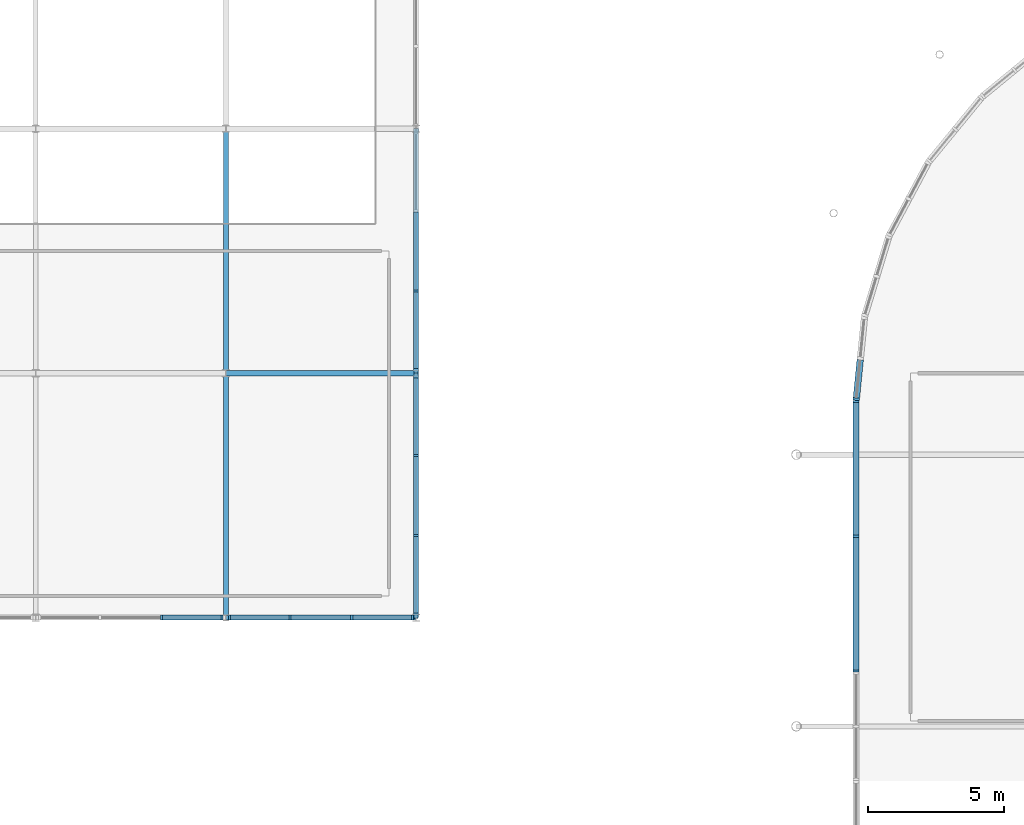
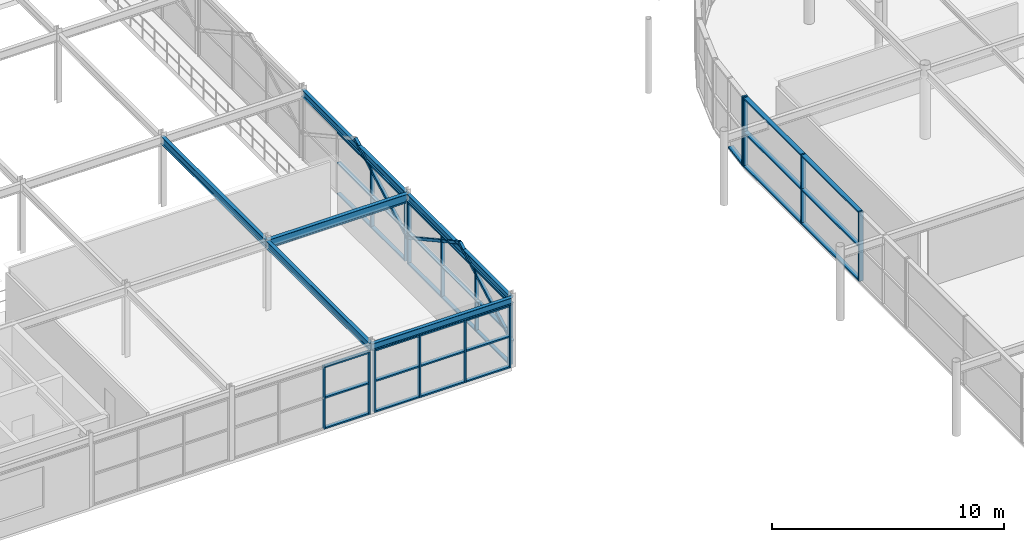
# One storey, part 40 of 98: 53 members, 6 beams, 6 elements without a shape of their own.
"""IFC4 building model written with IfcOpenShell, lengths in metres."""

import ifcopenshell
import ifcopenshell.guid

model = None  # the IFC model being written
_history = None  # IfcOwnerHistory: only IFC2X3 demands one
_inside = {}  # id of a spatial element -> (the spatial element, [elements in it])
_under = {}  # id of a project, library or spatial element -> (it, [spatial elements below it])
_declared = {}  # id of a project -> (the project, [libraries it declares])
_typed = {}  # id of a type object -> (the type object, [elements of that type])
_made_of = {}  # id of a material, layer set ... -> (it, [elements and type objects made of it])


def new_model(schema):
    """Start an empty IFC model of exactly this schema.

    Asked for "IFC4X3", IfcOpenShell would pick the latest addendum, in which some entities
    have other attributes; the version numbers below select the first issue.
    IFC2X3 requires an IfcOwnerHistory on every rooted entity: one is made here for all.
    """
    global model, _history
    if schema == "IFC4X3":
        model = ifcopenshell.file(schema_version=(4, 3, 0, 0))
    else:
        model = ifcopenshell.file(schema=schema)
    _inside.clear()
    _under.clear()
    _declared.clear()
    _typed.clear()
    _made_of.clear()
    _history = None
    if model.schema == "IFC2X3":
        org = make("IfcOrganization", Name="unknown")
        user = make(
            "IfcPersonAndOrganization",
            ThePerson=make("IfcPerson", FamilyName="unknown"),
            TheOrganization=org,
        )
        app = make(
            "IfcApplication",
            ApplicationDeveloper=org,
            Version="unknown",
            ApplicationFullName="unknown",
            ApplicationIdentifier="unknown",
        )
        _history = make(
            "IfcOwnerHistory",
            OwningUser=user,
            OwningApplication=app,
            ChangeAction="ADDED",
            CreationDate=0,
        )
    return model


def make(cls, **values):
    """One entity of the class cls with the attributes given. An attribute that is None is left unset."""
    return model.create_entity(
        cls, **{name: value for name, value in values.items() if value is not None}
    )


def rooted(cls, **values):
    """An entity with a GlobalId (a new one), such as an element, a storey or a relation."""
    return make(cls, GlobalId=ifcopenshell.guid.new(), OwnerHistory=_history, **values)


def si_unit(unit_type, name, prefix=None):
    """IfcSIUnit, for example si_unit("LENGTHUNIT", "METRE", prefix="MILLI")."""
    return make("IfcSIUnit", UnitType=unit_type, Prefix=prefix, Name=name)


def derived_unit(unit_type, elements):
    """IfcDerivedUnit: a product of units, each with its exponent."""
    return make(
        "IfcDerivedUnit",
        Elements=[
            make("IfcDerivedUnitElement", Unit=unit, Exponent=power)
            for unit, power in elements
        ],
        UnitType=unit_type,
    )


def assignment(units):
    """IfcUnitAssignment: the units of a project."""
    return None if units is None else make("IfcUnitAssignment", Units=units)


def point(xyz):
    """IfcCartesianPoint."""
    return None if xyz is None else make("IfcCartesianPoint", Coordinates=xyz)


def direction(xyz):
    """IfcDirection."""
    return None if xyz is None else make("IfcDirection", DirectionRatios=xyz)


def frame(location, z_axis=None, x_axis=None):
    """IfcAxis2Placement3D, a coordinate frame: its origin and axes. An axis left out is left unset."""
    return make(
        "IfcAxis2Placement3D",
        Location=point(location),
        Axis=direction(z_axis),
        RefDirection=direction(x_axis),
    )


def frame_2d(location, x_axis=None):
    """IfcAxis2Placement2D, a coordinate frame in the plane: its origin and x axis."""
    return make(
        "IfcAxis2Placement2D", Location=point(location), RefDirection=direction(x_axis)
    )


def origin():
    """The frame at (0, 0, 0) with its axes left unset."""
    return frame((0.0, 0.0, 0.0))


def origin_2d_with_axis():
    """The frame at (0, 0) in the plane with the x axis (1, 0) written out."""
    return frame_2d((0.0, 0.0), x_axis=(1.0, 0.0))


def place(relative_to, where):
    """IfcLocalPlacement: puts the frame where relative to a parent placement (None: the world)."""
    return make(
        "IfcLocalPlacement", PlacementRelTo=relative_to, RelativePlacement=where
    )


def context(
    kind, dimensions, precision=None, world=None, true_north=None, identifier=None
):
    """IfcGeometricRepresentationContext, for example the 3D "Model" context."""
    return make(
        "IfcGeometricRepresentationContext",
        ContextIdentifier=identifier,
        ContextType=kind,
        CoordinateSpaceDimension=dimensions,
        Precision=precision,
        WorldCoordinateSystem=world,
        TrueNorth=true_north,
    )


def subcontext(parent, identifier, kind, view, scale=None):
    """IfcGeometricRepresentationSubContext, for example "Body" below "Model"."""
    return make(
        "IfcGeometricRepresentationSubContext",
        ContextIdentifier=identifier,
        ContextType=kind,
        ParentContext=parent,
        TargetScale=scale,
        TargetView=view,
    )


def project(units=None, contexts=None):
    """IfcProject with its units and contexts."""
    return rooted(
        "IfcProject",
        Name="project",
        RepresentationContexts=contexts,
        UnitsInContext=assignment(units),
    )


def spatial(cls, under=None, at=None, **own):
    """A site, building, storey or space (cls), placed at a placement, below another one or the project."""
    s = rooted(cls, ObjectPlacement=at, **own)
    if under is not None:
        _under.setdefault(under.id(), (under, []))[1].append(s)
    return s


def profile(cls, at=None, kind="AREA", **sizes):
    """A parametric profile (cls). Its sizes go by their IFC names, for example OverallWidth=200.0."""
    return make(cls, ProfileType=kind, Position=at, **sizes)


def rectangle(**sizes):
    """IfcRectangleProfileDef."""
    return profile("IfcRectangleProfileDef", **sizes)


def hollow_rectangle(**sizes):
    """IfcRectangleHollowProfileDef."""
    return profile("IfcRectangleHollowProfileDef", **sizes)


def i_section(**sizes):
    """IfcIShapeProfileDef."""
    return profile("IfcIShapeProfileDef", **sizes)


def extrude(swept, where, along, depth):
    """IfcExtrudedAreaSolid: the profile swept, set in the frame where, extruded along a direction by depth."""
    return make(
        "IfcExtrudedAreaSolid",
        SweptArea=swept,
        Position=where,
        ExtrudedDirection=direction(along),
        Depth=depth,
    )


def shape(context_of_items, identifier, shape_type, items):
    """IfcShapeRepresentation: the items that make up one representation, for example the "Body"."""
    return make(
        "IfcShapeRepresentation",
        ContextOfItems=context_of_items,
        RepresentationIdentifier=identifier,
        RepresentationType=shape_type,
        Items=items,
    )


def material(Name=None, Category=None):
    """IfcMaterial."""
    return make("IfcMaterial", Name=Name, Category=Category)


def material_profile(
    of_material, cross_section, Name=None, Category=None, Priority=None
):
    """IfcMaterialProfile: a cross section and its material."""
    return make(
        "IfcMaterialProfile",
        Name=Name,
        Material=of_material,
        Profile=cross_section,
        Priority=Priority,
        Category=Category,
    )


def profile_set(profiles, Name=None, composite=None):
    """IfcMaterialProfileSet."""
    return make(
        "IfcMaterialProfileSet",
        Name=Name,
        MaterialProfiles=profiles,
        CompositeProfile=composite,
    )


def made_of(thing, what):
    """Note that an element or type object is made of a material, layer set ...; save() writes the relation."""
    if what is not None:
        _made_of.setdefault(what.id(), (what, []))[1].append(thing)
    return thing


def type_object(cls, material=None, **own):
    """A type object (cls), such as IfcWallType, which elements share."""
    return made_of(rooted(cls, **own), material)


def element(
    cls,
    number,
    at=None,
    inside=None,
    cuts=None,
    type_object=None,
    material=None,
    context=None,
    identifier="Body",
    shape_type=None,
    held_by="IfcProductDefinitionShape",
    body=None,
    shapes=None,
    **own,
):
    """One element of the class cls, such as IfcWall. Its Tag is "e" and its number.

    at: its placement. inside: the storey or other place that contains it. cuts: it is an
    opening in that element (IfcRelVoidsElement). A single representation is given by context,
    identifier, shape_type and body (its items); several are given by shapes. held_by: the class
    of the entity that holds the representations. save() writes the other relations.
    """
    e = rooted(cls, Tag="e%d" % number, ObjectPlacement=at, **own)
    if body is not None:
        shapes = [shape(context, identifier, shape_type, body)]
    if shapes is not None:
        e.Representation = make(held_by, Representations=shapes)
    if inside is not None:
        _inside.setdefault(inside.id(), (inside, []))[1].append(e)
    if cuts is not None:
        rooted(
            "IfcRelVoidsElement", RelatingBuildingElement=cuts, RelatedOpeningElement=e
        )
    if type_object is not None:
        _typed.setdefault(type_object.id(), (type_object, []))[1].append(e)
    return made_of(e, material)


def aggregate(whole, parts):
    """IfcRelAggregates: a whole, such as a stair, and the parts it consists of."""
    return rooted("IfcRelAggregates", RelatingObject=whole, RelatedObjects=parts)


def save(model, path):
    """Write the relations noted so far, then the file.

    IfcRelAggregates (storeys below a building ...), IfcRelContainedInSpatialStructure (elements
    in a storey), IfcRelDefinesByType, IfcRelAssociatesMaterial and IfcRelDeclares: one each for
    every whole, place, type object, material and project.
    """
    for whole, parts in _under.values():
        aggregate(whole, parts)
    for where, things in _inside.values():
        rooted(
            "IfcRelContainedInSpatialStructure",
            RelatedElements=things,
            RelatingStructure=where,
        )
    for kind, things in _typed.values():
        rooted("IfcRelDefinesByType", RelatedObjects=things, RelatingType=kind)
    for what, things in _made_of.values():
        rooted("IfcRelAssociatesMaterial", RelatedObjects=things, RelatingMaterial=what)
    for by, libraries in _declared.values():
        rooted("IfcRelDeclares", RelatingContext=by, RelatedDefinitions=libraries)
    model.write(path)


model = new_model("IFC4")

# Units and contexts
model_context = context("Model", 3, precision=1e-05, world=origin(), true_north=direction((0.0, 1.0)))
body_context = subcontext(model_context, "Body", "Model", "MODEL_VIEW")
ifc_project = project(units=[si_unit("LENGTHUNIT", "METRE"), si_unit("AREAUNIT", "SQUARE_METRE"), si_unit("VOLUMEUNIT", "CUBIC_METRE"), si_unit("PLANEANGLEUNIT", "RADIAN"), si_unit("MASSUNIT", "GRAM", prefix="KILO"), derived_unit("THERMALTRANSMITTANCEUNIT", [(si_unit("POWERUNIT", "WATT"), 1), (si_unit("LENGTHUNIT", "METRE"), -2), (si_unit("THERMODYNAMICTEMPERATUREUNIT", "KELVIN"), -1)])], contexts=[model_context])

# Site, building, storey
site_placement = place(None, origin())
site = spatial("IfcSite", under=ifc_project, at=site_placement, CompositionType="ELEMENT")
building_placement = place(site_placement, origin())
building = spatial("IfcBuilding", under=site, at=building_placement, Name="Cinnabar Yard Market Hall", CompositionType="ELEMENT")
storey_placement = place(building_placement, frame((0.0, 0.0, 4.5)))
storey = spatial("IfcBuildingStorey", under=building, at=storey_placement, Name="L01", CompositionType="ELEMENT", Elevation=4.5)

# Beams
ifc_material_1 = material(Name="Steel Grade 300 (300 MPa)", Category="steel")
ifc_material_profile_1 = material_profile(ifc_material_1, i_section(OverallWidth=0.18994140625, OverallDepth=0.453857421875, WebThickness=0.008544921875, FlangeThickness=0.0126953125, FilletRadius=0.011474609375, at=origin_2d_with_axis()), Name="460UB67.1")
ifc_profile_set_1 = profile_set([ifc_material_profile_1], Name="Steel Grade 300 (300 MPa)")
beam_type_1 = type_object("IfcBeamType", Name="BM-B05", PredefinedType="BEAM", material=ifc_profile_set_1)
beam_1_placement = place(storey_placement, frame((45.0, 57.0, 3.423095703125), z_axis=(1.0, 0.0, 0.0), x_axis=(0.0, 1.0, 0.0)))
element("IfcBeam", 1, at=beam_1_placement, inside=storey, type_object=beam_type_1, Name="V2 L01 Girder X 00733", PredefinedType="BEAM", context=body_context, shape_type="SweptSolid", body=[
    extrude(i_section(OverallWidth=0.18994140625, OverallDepth=0.453857421875, WebThickness=0.008544921875, FlangeThickness=0.0126953125, FilletRadius=0.011474609375, at=origin_2d_with_axis()), origin(), (0.0, 0.0, 1.0), 7.0),
])
ifc_material_profile_2 = material_profile(ifc_material_1, i_section(OverallWidth=0.177978515625, OverallDepth=0.406494140625, WebThickness=0.0078125, FlangeThickness=0.0126953125, FilletRadius=0.011474609375, at=origin_2d_with_axis()), Name="410UB59.7")
ifc_profile_set_2 = profile_set([ifc_material_profile_2], Name="Steel Grade 300 (300 MPa)")
beam_type_2 = type_object("IfcBeamType", Name="BM-B06", PredefinedType="BEAM", material=ifc_profile_set_2)
for number, where, z_axis, x_axis, name in (
    (2, (45.0, 48.0, 3.44677734375), (0.0, 1.0, 0.0), (-1.0, 0.0, 0.0), "V2 L01 Girder Y 00757"),
    (3, (45.0, 57.0, 3.44677734375), (0.0, 1.0, 0.0), (-1.0, 0.0, 0.0), "V2 L01 Girder Y 00758"),
):
    element("IfcBeam", number, at=place(storey_placement, frame(where, z_axis=z_axis, x_axis=x_axis)), inside=storey, type_object=beam_type_2, Name=name, PredefinedType="BEAM", context=body_context, shape_type="SweptSolid", body=[
        extrude(i_section(OverallWidth=0.177978515625, OverallDepth=0.406494140625, WebThickness=0.0078125, FlangeThickness=0.0126953125, FilletRadius=0.011474609375, at=origin_2d_with_axis()), origin(), (0.0, 0.0, 1.0), 9.0),
    ])
ifc_material_profile_3 = material_profile(ifc_material_1, i_section(OverallWidth=0.172119140625, OverallDepth=0.358642578125, WebThickness=0.008056640625, FlangeThickness=0.012939453125, FilletRadius=0.011474609375, at=origin_2d_with_axis()), Name="360UB56.7")
ifc_profile_set_3 = profile_set([ifc_material_profile_3], Name="Steel Grade 300 (300 MPa)")
beam_type_3 = type_object("IfcBeamType", Name="BM-SP02E", PredefinedType="SPANDREL", material=ifc_profile_set_3)
beam_2_placement = place(storey_placement, frame((45.0, 48.0, 3.470703125), z_axis=(1.0, 0.0, 0.0), x_axis=(0.0, 1.0, 0.0)))
element("IfcBeam", 4, at=beam_2_placement, inside=storey, type_object=beam_type_3, Name="V2 L01 Girder X 00732", PredefinedType="SPANDREL", context=body_context, shape_type="SweptSolid", body=[
    extrude(i_section(OverallWidth=0.172119140625, OverallDepth=0.358642578125, WebThickness=0.008056640625, FlangeThickness=0.012939453125, FilletRadius=0.011474609375, at=origin_2d_with_axis()), origin(), (0.0, 0.0, 1.0), 7.0),
])
for number, where, z_axis, x_axis, name in (
    (5, (52.0, 48.0, 3.470703125), (0.0, 1.0, 0.0), (-1.0, 0.0, 0.0), "V2 L01 Girder Y 00761"),
    (6, (52.0, 57.0, 3.470703125), (0.0, 1.0, 0.0), (-1.0, 0.0, 0.0), "V2 L01 Girder Y 00762"),
):
    element("IfcBeam", number, at=place(storey_placement, frame(where, z_axis=z_axis, x_axis=x_axis)), inside=storey, type_object=beam_type_3, Name=name, PredefinedType="SPANDREL", context=body_context, shape_type="SweptSolid", body=[
        extrude(i_section(OverallWidth=0.172119140625, OverallDepth=0.358642578125, WebThickness=0.008056640625, FlangeThickness=0.012939453125, FilletRadius=0.011474609375, at=origin_2d_with_axis()), origin(), (0.0, 0.0, 1.0), 9.0),
    ])

# Curtain wall, member
ifc_material_2 = material(Name="Anodised bronze aluminium curved-chord facade", Category="aluminium")
curtain_wall_type_1 = type_object("IfcCurtainWallType", Name="CW-CWC031x36", PredefinedType="NOTDEFINED", material=ifc_material_2)
curtain_wall_1_placement = place(storey_placement, origin())
curtain_wall_1 = element("IfcCurtainWall", 7, at=curtain_wall_1_placement, inside=storey, type_object=curtain_wall_type_1, Name="Corner NW Chord 8 L01", PredefinedType="NOTDEFINED")
ifc_material_3 = material(Name="Anodised bronze aluminium", Category="aluminium")
ifc_material_profile_4 = material_profile(ifc_material_3, rectangle(XDim=0.239990234375, YDim=0.090087890625, at=origin_2d_with_axis()), Name="MUL-CWC")
ifc_profile_set_4 = profile_set([ifc_material_profile_4], Name="Anodised bronze aluminium")
member_type_1 = type_object("IfcMemberType", Name="CWM-CWC", PredefinedType="MULLION", material=ifc_profile_set_4)
member_1_placement = place(storey_placement, frame((68.204345703125, 56.044677734375, 0.0), z_axis=(0.0, 0.0, 1.0), x_axis=(0.995184408637, -0.098020369342, 0.0)))
member_1 = element("IfcMember", 8, at=member_1_placement, type_object=member_type_1, Name="CWC031x36 mullion 3", PredefinedType="MULLION", context=body_context, shape_type="SweptSolid", body=[
    extrude(rectangle(XDim=0.239990234375, YDim=0.090087890625, at=origin_2d_with_axis()), origin(), (0.0, 0.0, 1.0), 3.64990234375),
])

# Curtain wall, members
ifc_material_4 = material(Name="Anodised bronze aluminium courtyard facade", Category="aluminium")
curtain_wall_type_2 = type_object("IfcCurtainWallType", Name="CW-CWF068x33", PredefinedType="NOTDEFINED", material=ifc_material_4)
curtain_wall_2_placement = place(storey_placement, origin())
curtain_wall_2 = element("IfcCurtainWall", 9, at=curtain_wall_2_placement, inside=storey, type_object=curtain_wall_type_2, Name="Pavilion South Glazed Arcade L01 Bay 5", PredefinedType="NOTDEFINED")
ifc_material_profile_5 = material_profile(ifc_material_3, rectangle(XDim=0.179931640625, YDim=0.074951171875, at=origin_2d_with_axis()), Name="MUL-CWF")
ifc_profile_set_5 = profile_set([ifc_material_profile_5], Name="Anodised bronze aluminium")
member_type_2 = type_object("IfcMemberType", Name="CWM-CWF", PredefinedType="MULLION", material=ifc_profile_set_5)
member_2_placement = place(storey_placement, frame((42.63330078125, 48.0, 0.0), z_axis=(0.0, 0.0, 1.0), x_axis=(0.0, 1.0, 0.0)))
member_2 = element("IfcMember", 10, at=member_2_placement, type_object=member_type_2, Name="CWF068x33 mullion 3", PredefinedType="MULLION", context=body_context, shape_type="SweptSolid", body=[
    extrude(rectangle(XDim=0.179931640625, YDim=0.074951171875, at=origin_2d_with_axis()), origin(), (0.0, 0.0, 1.0), 3.2900390625),
])
member_3_placement = place(storey_placement, frame((44.862548828125, 48.0, 0.0), z_axis=(0.0, 0.0, 1.0), x_axis=(0.0, 1.0, 0.0)))
member_3 = element("IfcMember", 11, at=member_3_placement, type_object=member_type_2, Name="CWF068x33 mullion 4", PredefinedType="MULLION", context=body_context, shape_type="SweptSolid", body=[
    extrude(rectangle(XDim=0.179931640625, YDim=0.074951171875, at=origin_2d_with_axis()), origin(), (0.0, 0.0, 1.0), 3.2900390625),
])

curtain_wall_3_placement = place(storey_placement, origin())
curtain_wall_3 = element("IfcCurtainWall", 12, at=curtain_wall_3_placement, inside=storey, type_object=curtain_wall_type_2, Name="Pavilion South Glazed Arcade L01 Bay 6", PredefinedType="NOTDEFINED")
member_4_placement = place(storey_placement, frame((45.137451171875, 48.0, 0.0), z_axis=(0.0, 0.0, 1.0), x_axis=(0.0, 1.0, 0.0)))
member_4 = element("IfcMember", 13, at=member_4_placement, type_object=member_type_2, Name="CWF068x33 mullion 1", PredefinedType="MULLION", context=body_context, shape_type="SweptSolid", body=[
    extrude(rectangle(XDim=0.179931640625, YDim=0.074951171875, at=origin_2d_with_axis()), origin(), (0.0, 0.0, 1.0), 3.2900390625),
])
member_5_placement = place(storey_placement, frame((47.36669921875, 48.0, 0.0), z_axis=(0.0, 0.0, 1.0), x_axis=(0.0, 1.0, 0.0)))
member_5 = element("IfcMember", 14, at=member_5_placement, type_object=member_type_2, Name="CWF068x33 mullion 2", PredefinedType="MULLION", context=body_context, shape_type="SweptSolid", body=[
    extrude(rectangle(XDim=0.179931640625, YDim=0.074951171875, at=origin_2d_with_axis()), origin(), (0.0, 0.0, 1.0), 3.2900390625),
])
member_6_placement = place(storey_placement, frame((49.63330078125, 48.0, 0.0), z_axis=(0.0, 0.0, 1.0), x_axis=(0.0, 1.0, 0.0)))
member_6 = element("IfcMember", 15, at=member_6_placement, type_object=member_type_2, Name="CWF068x33 mullion 3", PredefinedType="MULLION", context=body_context, shape_type="SweptSolid", body=[
    extrude(rectangle(XDim=0.179931640625, YDim=0.074951171875, at=origin_2d_with_axis()), origin(), (0.0, 0.0, 1.0), 3.2900390625),
])
member_7_placement = place(storey_placement, frame((51.862548828125, 48.0, 0.0), z_axis=(0.0, 0.0, 1.0), x_axis=(0.0, 1.0, 0.0)))
member_7 = element("IfcMember", 16, at=member_7_placement, type_object=member_type_2, Name="CWF068x33 mullion 4", PredefinedType="MULLION", context=body_context, shape_type="SweptSolid", body=[
    extrude(rectangle(XDim=0.179931640625, YDim=0.074951171875, at=origin_2d_with_axis()), origin(), (0.0, 0.0, 1.0), 3.2900390625),
])

curtain_wall_type_3 = type_object("IfcCurtainWallType", Name="CW-CWF088x33", PredefinedType="NOTDEFINED", material=ifc_material_4)
curtain_wall_4_placement = place(storey_placement, origin())
curtain_wall_4 = element("IfcCurtainWall", 17, at=curtain_wall_4_placement, inside=storey, type_object=curtain_wall_type_3, Name="Pavilion Courtyard Glazing L01 Bay 1", PredefinedType="NOTDEFINED")
member_8_placement = place(storey_placement, frame((52.0, 48.137451171875, 0.0), z_axis=(0.0, 0.0, 1.0), x_axis=(-1.0, 0.0, 0.0)))
member_8 = element("IfcMember", 18, at=member_8_placement, type_object=member_type_2, Name="CWF088x33 mullion 1", PredefinedType="MULLION", context=body_context, shape_type="SweptSolid", body=[
    extrude(rectangle(XDim=0.179931640625, YDim=0.074951171875, at=origin_2d_with_axis()), origin(), (0.0, 0.0, 1.0), 3.2900390625),
])
member_9_placement = place(storey_placement, frame((52.0, 51.033447265625, 0.0), z_axis=(0.0, 0.0, 1.0), x_axis=(-1.0, 0.0, 0.0)))
member_9 = element("IfcMember", 19, at=member_9_placement, type_object=member_type_2, Name="CWF088x33 mullion 2", PredefinedType="MULLION", context=body_context, shape_type="SweptSolid", body=[
    extrude(rectangle(XDim=0.179931640625, YDim=0.074951171875, at=origin_2d_with_axis()), origin(), (0.0, 0.0, 1.0), 3.2900390625),
])
member_10_placement = place(storey_placement, frame((52.0, 53.966552734375, 0.0), z_axis=(0.0, 0.0, 1.0), x_axis=(-1.0, 0.0, 0.0)))
member_10 = element("IfcMember", 20, at=member_10_placement, type_object=member_type_2, Name="CWF088x33 mullion 3", PredefinedType="MULLION", context=body_context, shape_type="SweptSolid", body=[
    extrude(rectangle(XDim=0.179931640625, YDim=0.074951171875, at=origin_2d_with_axis()), origin(), (0.0, 0.0, 1.0), 3.2900390625),
])
member_11_placement = place(storey_placement, frame((52.0, 56.862548828125, 0.0), z_axis=(0.0, 0.0, 1.0), x_axis=(-1.0, 0.0, 0.0)))
member_11 = element("IfcMember", 21, at=member_11_placement, type_object=member_type_2, Name="CWF088x33 mullion 4", PredefinedType="MULLION", context=body_context, shape_type="SweptSolid", body=[
    extrude(rectangle(XDim=0.179931640625, YDim=0.074951171875, at=origin_2d_with_axis()), origin(), (0.0, 0.0, 1.0), 3.2900390625),
])

curtain_wall_5_placement = place(storey_placement, origin())
curtain_wall_5 = element("IfcCurtainWall", 22, at=curtain_wall_5_placement, inside=storey, type_object=curtain_wall_type_3, Name="Pavilion Courtyard Glazing L01 Bay 2", PredefinedType="NOTDEFINED")
member_12_placement = place(storey_placement, frame((52.0, 57.137451171875, 0.0), z_axis=(0.0, 0.0, 1.0), x_axis=(-1.0, 0.0, 0.0)))
member_12 = element("IfcMember", 23, at=member_12_placement, type_object=member_type_2, Name="CWF088x33 mullion 1", PredefinedType="MULLION", context=body_context, shape_type="SweptSolid", body=[
    extrude(rectangle(XDim=0.179931640625, YDim=0.074951171875, at=origin_2d_with_axis()), origin(), (0.0, 0.0, 1.0), 3.2900390625),
])
member_13_placement = place(storey_placement, frame((52.0, 60.033447265625, 0.0), z_axis=(0.0, 0.0, 1.0), x_axis=(-1.0, 0.0, 0.0)))
member_13 = element("IfcMember", 24, at=member_13_placement, type_object=member_type_2, Name="CWF088x33 mullion 2", PredefinedType="MULLION", context=body_context, shape_type="SweptSolid", body=[
    extrude(rectangle(XDim=0.179931640625, YDim=0.074951171875, at=origin_2d_with_axis()), origin(), (0.0, 0.0, 1.0), 3.2900390625),
])

ifc_material_5 = material(Name="Anodised bronze aluminium and low-E glass", Category="aluminium")
curtain_wall_type_4 = type_object("IfcCurtainWallType", Name="CW-CWH100x36", PredefinedType="NOTDEFINED", material=ifc_material_5)
curtain_wall_6_placement = place(storey_placement, origin())
curtain_wall_6 = element("IfcCurtainWall", 25, at=curtain_wall_6_placement, inside=storey, type_object=curtain_wall_type_4, Name="Market Hall West Gallery Glazing W2", PredefinedType="NOTDEFINED")
ifc_material_profile_6 = material_profile(ifc_material_3, rectangle(XDim=0.219970703125, YDim=0.080078125, at=origin_2d_with_axis()), Name="MUL-CWH")
ifc_profile_set_6 = profile_set([ifc_material_profile_6], Name="Anodised bronze aluminium")
member_type_3 = type_object("IfcMemberType", Name="CWM-CWH", PredefinedType="MULLION", material=ifc_profile_set_6)
member_14_placement = place(storey_placement, frame((68.199951171875, 55.9599609375, 0.0), z_axis=(0.0, 0.0, 1.0), x_axis=(1.0, 0.0, 0.0)))
member_14 = element("IfcMember", 26, at=member_14_placement, type_object=member_type_3, Name="CWH100x36 mullion 1", PredefinedType="MULLION", context=body_context, shape_type="SweptSolid", body=[
    extrude(rectangle(XDim=0.219970703125, YDim=0.080078125, at=origin_2d_with_axis()), origin(), (0.0, 0.0, 1.0), 3.64990234375),
])
member_15_placement = place(storey_placement, frame((68.199951171875, 51.0, 0.0), z_axis=(0.0, 0.0, 1.0), x_axis=(1.0, 0.0, 0.0)))
member_15 = element("IfcMember", 27, at=member_15_placement, type_object=member_type_3, Name="CWH100x36 mullion 2", PredefinedType="MULLION", context=body_context, shape_type="SweptSolid", body=[
    extrude(rectangle(XDim=0.219970703125, YDim=0.080078125, at=origin_2d_with_axis()), origin(), (0.0, 0.0, 1.0), 3.64990234375),
])
member_16_placement = place(storey_placement, frame((68.199951171875, 46.0400390625, 0.0), z_axis=(0.0, 0.0, 1.0), x_axis=(1.0, 0.0, 0.0)))
member_16 = element("IfcMember", 28, at=member_16_placement, type_object=member_type_3, Name="CWH100x36 mullion 3", PredefinedType="MULLION", context=body_context, shape_type="SweptSolid", body=[
    extrude(rectangle(XDim=0.219970703125, YDim=0.080078125, at=origin_2d_with_axis()), origin(), (0.0, 0.0, 1.0), 3.64990234375),
])

# Member
ifc_material_profile_7 = material_profile(ifc_material_3, rectangle(XDim=0.239990234375, YDim=0.090087890625, at=origin_2d_with_axis()), Name="TRN-CWC")
ifc_profile_set_7 = profile_set([ifc_material_profile_7], Name="Anodised bronze aluminium")
member_type_4 = type_object("IfcMemberType", Name="CWT-CWC", PredefinedType="USERDEFINED", material=ifc_profile_set_7)
member_17_placement = place(storey_placement, frame((68.347412109375, 57.496337890625, 0.044921875), z_axis=(-0.098101390058, -0.995176425197, 0.0), x_axis=(0.995176425197, -0.098101390058, 0.0)))
member_17 = element("IfcMember", 29, at=member_17_placement, type_object=member_type_4, Name="CWC031x36 transom 2.1", ObjectType="TRANSOM", PredefinedType="USERDEFINED", context=body_context, shape_type="SweptSolid", body=[
    extrude(rectangle(XDim=0.239990234375, YDim=0.090087890625, at=origin_2d_with_axis()), origin(), (0.0, 0.0, 1.0), 1.41357421875),
])

aggregate(curtain_wall_1, [member_1, member_17])

ifc_material_profile_8 = material_profile(ifc_material_3, rectangle(XDim=0.179931640625, YDim=0.074951171875, at=origin_2d_with_axis()), Name="TRN-CWF")
ifc_profile_set_8 = profile_set([ifc_material_profile_8], Name="Anodised bronze aluminium")
member_type_5 = type_object("IfcMemberType", Name="CWT-CWF", PredefinedType="USERDEFINED", material=ifc_profile_set_8)
member_18_placement = place(storey_placement, frame((42.6708984375, 48.0, 0.03759765625), z_axis=(1.0, 0.0, 0.0), x_axis=(0.0, 1.0, 0.0)))
member_18 = element("IfcMember", 30, at=member_18_placement, type_object=member_type_5, Name="CWF068x33 transom 3.1", ObjectType="TRANSOM", PredefinedType="USERDEFINED", context=body_context, shape_type="SweptSolid", body=[
    extrude(rectangle(XDim=0.179931640625, YDim=0.074951171875, at=origin_2d_with_axis()), origin(), (0.0, 0.0, 1.0), 2.154052734375),
])

member_19_placement = place(storey_placement, frame((42.6708984375, 48.0, 1.64501953125), z_axis=(1.0, 0.0, 0.0), x_axis=(0.0, 1.0, 0.0)))
member_19 = element("IfcMember", 31, at=member_19_placement, type_object=member_type_5, Name="CWF068x33 transom 3.2", ObjectType="TRANSOM", PredefinedType="USERDEFINED", context=body_context, shape_type="SweptSolid", body=[
    extrude(rectangle(XDim=0.179931640625, YDim=0.074951171875, at=origin_2d_with_axis()), origin(), (0.0, 0.0, 1.0), 2.154052734375),
])

member_20_placement = place(storey_placement, frame((42.6708984375, 48.0, 3.25244140625), z_axis=(1.0, 0.0, 0.0), x_axis=(0.0, 1.0, 0.0)))
member_20 = element("IfcMember", 32, at=member_20_placement, type_object=member_type_5, Name="CWF068x33 transom 3.3", ObjectType="TRANSOM", PredefinedType="USERDEFINED", context=body_context, shape_type="SweptSolid", body=[
    extrude(rectangle(XDim=0.179931640625, YDim=0.074951171875, at=origin_2d_with_axis()), origin(), (0.0, 0.0, 1.0), 2.154052734375),
])

aggregate(curtain_wall_2, [member_2, member_3, member_18, member_19, member_20])

member_21_placement = place(storey_placement, frame((45.175048828125, 48.0, 0.03759765625), z_axis=(1.0, 0.0, 0.0), x_axis=(0.0, 1.0, 0.0)))
member_21 = element("IfcMember", 33, at=member_21_placement, type_object=member_type_5, Name="CWF068x33 transom 1.1", ObjectType="TRANSOM", PredefinedType="USERDEFINED", context=body_context, shape_type="SweptSolid", body=[
    extrude(rectangle(XDim=0.179931640625, YDim=0.074951171875, at=origin_2d_with_axis()), origin(), (0.0, 0.0, 1.0), 2.154052734375),
])

member_22_placement = place(storey_placement, frame((45.175048828125, 48.0, 1.64501953125), z_axis=(1.0, 0.0, 0.0), x_axis=(0.0, 1.0, 0.0)))
member_22 = element("IfcMember", 34, at=member_22_placement, type_object=member_type_5, Name="CWF068x33 transom 1.2", ObjectType="TRANSOM", PredefinedType="USERDEFINED", context=body_context, shape_type="SweptSolid", body=[
    extrude(rectangle(XDim=0.179931640625, YDim=0.074951171875, at=origin_2d_with_axis()), origin(), (0.0, 0.0, 1.0), 2.154052734375),
])

member_23_placement = place(storey_placement, frame((45.175048828125, 48.0, 3.25244140625), z_axis=(1.0, 0.0, 0.0), x_axis=(0.0, 1.0, 0.0)))
member_23 = element("IfcMember", 35, at=member_23_placement, type_object=member_type_5, Name="CWF068x33 transom 1.3", ObjectType="TRANSOM", PredefinedType="USERDEFINED", context=body_context, shape_type="SweptSolid", body=[
    extrude(rectangle(XDim=0.179931640625, YDim=0.074951171875, at=origin_2d_with_axis()), origin(), (0.0, 0.0, 1.0), 2.154052734375),
])

member_24_placement = place(storey_placement, frame((47.404052734375, 48.0, 0.03759765625), z_axis=(1.0, 0.0, 0.0), x_axis=(0.0, 1.0, 0.0)))
member_24 = element("IfcMember", 36, at=member_24_placement, type_object=member_type_5, Name="CWF068x33 transom 2.1", ObjectType="TRANSOM", PredefinedType="USERDEFINED", context=body_context, shape_type="SweptSolid", body=[
    extrude(rectangle(XDim=0.179931640625, YDim=0.074951171875, at=origin_2d_with_axis()), origin(), (0.0, 0.0, 1.0), 2.19189453125),
])

member_25_placement = place(storey_placement, frame((47.404052734375, 48.0, 1.64501953125), z_axis=(1.0, 0.0, 0.0), x_axis=(0.0, 1.0, 0.0)))
member_25 = element("IfcMember", 37, at=member_25_placement, type_object=member_type_5, Name="CWF068x33 transom 2.2", ObjectType="TRANSOM", PredefinedType="USERDEFINED", context=body_context, shape_type="SweptSolid", body=[
    extrude(rectangle(XDim=0.179931640625, YDim=0.074951171875, at=origin_2d_with_axis()), origin(), (0.0, 0.0, 1.0), 2.19189453125),
])

member_26_placement = place(storey_placement, frame((47.404052734375, 48.0, 3.25244140625), z_axis=(1.0, 0.0, 0.0), x_axis=(0.0, 1.0, 0.0)))
member_26 = element("IfcMember", 38, at=member_26_placement, type_object=member_type_5, Name="CWF068x33 transom 2.3", ObjectType="TRANSOM", PredefinedType="USERDEFINED", context=body_context, shape_type="SweptSolid", body=[
    extrude(rectangle(XDim=0.179931640625, YDim=0.074951171875, at=origin_2d_with_axis()), origin(), (0.0, 0.0, 1.0), 2.19189453125),
])

member_27_placement = place(storey_placement, frame((49.6708984375, 48.0, 0.03759765625), z_axis=(1.0, 0.0, 0.0), x_axis=(0.0, 1.0, 0.0)))
member_27 = element("IfcMember", 39, at=member_27_placement, type_object=member_type_5, Name="CWF068x33 transom 3.1", ObjectType="TRANSOM", PredefinedType="USERDEFINED", context=body_context, shape_type="SweptSolid", body=[
    extrude(rectangle(XDim=0.179931640625, YDim=0.074951171875, at=origin_2d_with_axis()), origin(), (0.0, 0.0, 1.0), 2.154052734375),
])

member_28_placement = place(storey_placement, frame((49.6708984375, 48.0, 1.64501953125), z_axis=(1.0, 0.0, 0.0), x_axis=(0.0, 1.0, 0.0)))
member_28 = element("IfcMember", 40, at=member_28_placement, type_object=member_type_5, Name="CWF068x33 transom 3.2", ObjectType="TRANSOM", PredefinedType="USERDEFINED", context=body_context, shape_type="SweptSolid", body=[
    extrude(rectangle(XDim=0.179931640625, YDim=0.074951171875, at=origin_2d_with_axis()), origin(), (0.0, 0.0, 1.0), 2.154052734375),
])

member_29_placement = place(storey_placement, frame((49.6708984375, 48.0, 3.25244140625), z_axis=(1.0, 0.0, 0.0), x_axis=(0.0, 1.0, 0.0)))
member_29 = element("IfcMember", 41, at=member_29_placement, type_object=member_type_5, Name="CWF068x33 transom 3.3", ObjectType="TRANSOM", PredefinedType="USERDEFINED", context=body_context, shape_type="SweptSolid", body=[
    extrude(rectangle(XDim=0.179931640625, YDim=0.074951171875, at=origin_2d_with_axis()), origin(), (0.0, 0.0, 1.0), 2.154052734375),
])

aggregate(curtain_wall_3, [member_4, member_5, member_6, member_7, member_21, member_22, member_23, member_24, member_25, member_26, member_27, member_28, member_29])

member_30_placement = place(storey_placement, frame((52.0, 48.175048828125, 0.03759765625), z_axis=(0.0, 1.0, 0.0), x_axis=(-1.0, 0.0, 0.0)))
member_30 = element("IfcMember", 42, at=member_30_placement, type_object=member_type_5, Name="CWF088x33 transom 1.1", ObjectType="TRANSOM", PredefinedType="USERDEFINED", context=body_context, shape_type="SweptSolid", body=[
    extrude(rectangle(XDim=0.179931640625, YDim=0.074951171875, at=origin_2d_with_axis()), origin(), (0.0, 0.0, 1.0), 2.82080078125),
])

member_31_placement = place(storey_placement, frame((52.0, 48.175048828125, 1.64501953125), z_axis=(0.0, 1.0, 0.0), x_axis=(-1.0, 0.0, 0.0)))
member_31 = element("IfcMember", 43, at=member_31_placement, type_object=member_type_5, Name="CWF088x33 transom 1.2", ObjectType="TRANSOM", PredefinedType="USERDEFINED", context=body_context, shape_type="SweptSolid", body=[
    extrude(rectangle(XDim=0.179931640625, YDim=0.074951171875, at=origin_2d_with_axis()), origin(), (0.0, 0.0, 1.0), 2.82080078125),
])

member_32_placement = place(storey_placement, frame((52.0, 48.175048828125, 3.25244140625), z_axis=(0.0, 1.0, 0.0), x_axis=(-1.0, 0.0, 0.0)))
member_32 = element("IfcMember", 44, at=member_32_placement, type_object=member_type_5, Name="CWF088x33 transom 1.3", ObjectType="TRANSOM", PredefinedType="USERDEFINED", context=body_context, shape_type="SweptSolid", body=[
    extrude(rectangle(XDim=0.179931640625, YDim=0.074951171875, at=origin_2d_with_axis()), origin(), (0.0, 0.0, 1.0), 2.82080078125),
])

member_33_placement = place(storey_placement, frame((52.0, 51.07080078125, 0.03759765625), z_axis=(0.0, 1.0, 0.0), x_axis=(-1.0, 0.0, 0.0)))
member_33 = element("IfcMember", 45, at=member_33_placement, type_object=member_type_5, Name="CWF088x33 transom 2.1", ObjectType="TRANSOM", PredefinedType="USERDEFINED", context=body_context, shape_type="SweptSolid", body=[
    extrude(rectangle(XDim=0.179931640625, YDim=0.074951171875, at=origin_2d_with_axis()), origin(), (0.0, 0.0, 1.0), 2.8583984375),
])

member_34_placement = place(storey_placement, frame((52.0, 51.07080078125, 1.64501953125), z_axis=(0.0, 1.0, 0.0), x_axis=(-1.0, 0.0, 0.0)))
member_34 = element("IfcMember", 46, at=member_34_placement, type_object=member_type_5, Name="CWF088x33 transom 2.2", ObjectType="TRANSOM", PredefinedType="USERDEFINED", context=body_context, shape_type="SweptSolid", body=[
    extrude(rectangle(XDim=0.179931640625, YDim=0.074951171875, at=origin_2d_with_axis()), origin(), (0.0, 0.0, 1.0), 2.8583984375),
])

member_35_placement = place(storey_placement, frame((52.0, 51.07080078125, 3.25244140625), z_axis=(0.0, 1.0, 0.0), x_axis=(-1.0, 0.0, 0.0)))
member_35 = element("IfcMember", 47, at=member_35_placement, type_object=member_type_5, Name="CWF088x33 transom 2.3", ObjectType="TRANSOM", PredefinedType="USERDEFINED", context=body_context, shape_type="SweptSolid", body=[
    extrude(rectangle(XDim=0.179931640625, YDim=0.074951171875, at=origin_2d_with_axis()), origin(), (0.0, 0.0, 1.0), 2.8583984375),
])

member_36_placement = place(storey_placement, frame((52.0, 54.004150390625, 0.03759765625), z_axis=(0.0, 1.0, 0.0), x_axis=(-1.0, 0.0, 0.0)))
member_36 = element("IfcMember", 48, at=member_36_placement, type_object=member_type_5, Name="CWF088x33 transom 3.1", ObjectType="TRANSOM", PredefinedType="USERDEFINED", context=body_context, shape_type="SweptSolid", body=[
    extrude(rectangle(XDim=0.179931640625, YDim=0.074951171875, at=origin_2d_with_axis()), origin(), (0.0, 0.0, 1.0), 2.82080078125),
])

member_37_placement = place(storey_placement, frame((52.0, 54.004150390625, 1.64501953125), z_axis=(0.0, 1.0, 0.0), x_axis=(-1.0, 0.0, 0.0)))
member_37 = element("IfcMember", 49, at=member_37_placement, type_object=member_type_5, Name="CWF088x33 transom 3.2", ObjectType="TRANSOM", PredefinedType="USERDEFINED", context=body_context, shape_type="SweptSolid", body=[
    extrude(rectangle(XDim=0.179931640625, YDim=0.074951171875, at=origin_2d_with_axis()), origin(), (0.0, 0.0, 1.0), 2.82080078125),
])

member_38_placement = place(storey_placement, frame((52.0, 54.004150390625, 3.25244140625), z_axis=(0.0, 1.0, 0.0), x_axis=(-1.0, 0.0, 0.0)))
member_38 = element("IfcMember", 50, at=member_38_placement, type_object=member_type_5, Name="CWF088x33 transom 3.3", ObjectType="TRANSOM", PredefinedType="USERDEFINED", context=body_context, shape_type="SweptSolid", body=[
    extrude(rectangle(XDim=0.179931640625, YDim=0.074951171875, at=origin_2d_with_axis()), origin(), (0.0, 0.0, 1.0), 2.82080078125),
])

aggregate(curtain_wall_4, [member_8, member_9, member_10, member_11, member_30, member_31, member_32, member_33, member_34, member_35, member_36, member_37, member_38])

member_39_placement = place(storey_placement, frame((52.0, 57.175048828125, 0.03759765625), z_axis=(0.0, 1.0, 0.0), x_axis=(-1.0, 0.0, 0.0)))
member_39 = element("IfcMember", 51, at=member_39_placement, type_object=member_type_5, Name="CWF088x33 transom 1.1", ObjectType="TRANSOM", PredefinedType="USERDEFINED", context=body_context, shape_type="SweptSolid", body=[
    extrude(rectangle(XDim=0.179931640625, YDim=0.074951171875, at=origin_2d_with_axis()), origin(), (0.0, 0.0, 1.0), 2.82080078125),
])

member_40_placement = place(storey_placement, frame((52.0, 57.175048828125, 1.64501953125), z_axis=(0.0, 1.0, 0.0), x_axis=(-1.0, 0.0, 0.0)))
member_40 = element("IfcMember", 52, at=member_40_placement, type_object=member_type_5, Name="CWF088x33 transom 1.2", ObjectType="TRANSOM", PredefinedType="USERDEFINED", context=body_context, shape_type="SweptSolid", body=[
    extrude(rectangle(XDim=0.179931640625, YDim=0.074951171875, at=origin_2d_with_axis()), origin(), (0.0, 0.0, 1.0), 2.82080078125),
])

member_41_placement = place(storey_placement, frame((52.0, 57.175048828125, 3.25244140625), z_axis=(0.0, 1.0, 0.0), x_axis=(-1.0, 0.0, 0.0)))
member_41 = element("IfcMember", 53, at=member_41_placement, type_object=member_type_5, Name="CWF088x33 transom 1.3", ObjectType="TRANSOM", PredefinedType="USERDEFINED", context=body_context, shape_type="SweptSolid", body=[
    extrude(rectangle(XDim=0.179931640625, YDim=0.074951171875, at=origin_2d_with_axis()), origin(), (0.0, 0.0, 1.0), 2.82080078125),
])

member_42_placement = place(storey_placement, frame((52.0, 60.07080078125, 0.03759765625), z_axis=(0.0, 1.0, 0.0), x_axis=(-1.0, 0.0, 0.0)))
member_42 = element("IfcMember", 54, at=member_42_placement, type_object=member_type_5, Name="CWF088x33 transom 2.1", ObjectType="TRANSOM", PredefinedType="USERDEFINED", context=body_context, shape_type="SweptSolid", body=[
    extrude(rectangle(XDim=0.179931640625, YDim=0.074951171875, at=origin_2d_with_axis()), origin(), (0.0, 0.0, 1.0), 2.8583984375),
])

member_43_placement = place(storey_placement, frame((52.0, 60.07080078125, 1.64501953125), z_axis=(0.0, 1.0, 0.0), x_axis=(-1.0, 0.0, 0.0)))
member_43 = element("IfcMember", 55, at=member_43_placement, type_object=member_type_5, Name="CWF088x33 transom 2.2", ObjectType="TRANSOM", PredefinedType="USERDEFINED", context=body_context, shape_type="SweptSolid", body=[
    extrude(rectangle(XDim=0.179931640625, YDim=0.074951171875, at=origin_2d_with_axis()), origin(), (0.0, 0.0, 1.0), 2.8583984375),
])

member_44_placement = place(storey_placement, frame((52.0, 60.07080078125, 3.25244140625), z_axis=(0.0, 1.0, 0.0), x_axis=(-1.0, 0.0, 0.0)))
member_44 = element("IfcMember", 56, at=member_44_placement, type_object=member_type_5, Name="CWF088x33 transom 2.3", ObjectType="TRANSOM", PredefinedType="USERDEFINED", context=body_context, shape_type="SweptSolid", body=[
    extrude(rectangle(XDim=0.179931640625, YDim=0.074951171875, at=origin_2d_with_axis()), origin(), (0.0, 0.0, 1.0), 2.8583984375),
])

aggregate(curtain_wall_5, [member_12, member_13, member_39, member_40, member_41, member_42, member_43, member_44])

ifc_material_profile_9 = material_profile(ifc_material_3, rectangle(XDim=0.219970703125, YDim=0.080078125, at=origin_2d_with_axis()), Name="TRN-CWH")
ifc_profile_set_9 = profile_set([ifc_material_profile_9], Name="Anodised bronze aluminium")
member_type_6 = type_object("IfcMemberType", Name="CWT-CWH", PredefinedType="USERDEFINED", material=ifc_profile_set_9)
member_45_placement = place(storey_placement, frame((68.199951171875, 55.919921875, 0.0400390625), z_axis=(0.0, -1.0, 0.0), x_axis=(1.0, 0.0, 0.0)))
member_45 = element("IfcMember", 57, at=member_45_placement, type_object=member_type_6, Name="CWH100x36 transom 1.1", ObjectType="TRANSOM", PredefinedType="USERDEFINED", context=body_context, shape_type="SweptSolid", body=[
    extrude(rectangle(XDim=0.219970703125, YDim=0.080078125, at=origin_2d_with_axis()), origin(), (0.0, 0.0, 1.0), 4.8798828125),
])

member_46_placement = place(storey_placement, frame((68.199951171875, 55.919921875, 1.824951171875), z_axis=(0.0, -1.0, 0.0), x_axis=(1.0, 0.0, 0.0)))
member_46 = element("IfcMember", 58, at=member_46_placement, type_object=member_type_6, Name="CWH100x36 transom 1.2", ObjectType="TRANSOM", PredefinedType="USERDEFINED", context=body_context, shape_type="SweptSolid", body=[
    extrude(rectangle(XDim=0.219970703125, YDim=0.080078125, at=origin_2d_with_axis()), origin(), (0.0, 0.0, 1.0), 4.8798828125),
])

member_47_placement = place(storey_placement, frame((68.199951171875, 55.919921875, 3.610107421875), z_axis=(0.0, -1.0, 0.0), x_axis=(1.0, 0.0, 0.0)))
member_47 = element("IfcMember", 59, at=member_47_placement, type_object=member_type_6, Name="CWH100x36 transom 1.3", ObjectType="TRANSOM", PredefinedType="USERDEFINED", context=body_context, shape_type="SweptSolid", body=[
    extrude(rectangle(XDim=0.219970703125, YDim=0.080078125, at=origin_2d_with_axis()), origin(), (0.0, 0.0, 1.0), 4.8798828125),
])

member_48_placement = place(storey_placement, frame((68.199951171875, 50.9599609375, 0.0400390625), z_axis=(0.0, -1.0, 0.0), x_axis=(1.0, 0.0, 0.0)))
member_48 = element("IfcMember", 60, at=member_48_placement, type_object=member_type_6, Name="CWH100x36 transom 2.1", ObjectType="TRANSOM", PredefinedType="USERDEFINED", context=body_context, shape_type="SweptSolid", body=[
    extrude(rectangle(XDim=0.219970703125, YDim=0.080078125, at=origin_2d_with_axis()), origin(), (0.0, 0.0, 1.0), 4.8798828125),
])

member_49_placement = place(storey_placement, frame((68.199951171875, 50.9599609375, 1.824951171875), z_axis=(0.0, -1.0, 0.0), x_axis=(1.0, 0.0, 0.0)))
member_49 = element("IfcMember", 61, at=member_49_placement, type_object=member_type_6, Name="CWH100x36 transom 2.2", ObjectType="TRANSOM", PredefinedType="USERDEFINED", context=body_context, shape_type="SweptSolid", body=[
    extrude(rectangle(XDim=0.219970703125, YDim=0.080078125, at=origin_2d_with_axis()), origin(), (0.0, 0.0, 1.0), 4.8798828125),
])

member_50_placement = place(storey_placement, frame((68.199951171875, 50.9599609375, 3.610107421875), z_axis=(0.0, -1.0, 0.0), x_axis=(1.0, 0.0, 0.0)))
member_50 = element("IfcMember", 62, at=member_50_placement, type_object=member_type_6, Name="CWH100x36 transom 2.3", ObjectType="TRANSOM", PredefinedType="USERDEFINED", context=body_context, shape_type="SweptSolid", body=[
    extrude(rectangle(XDim=0.219970703125, YDim=0.080078125, at=origin_2d_with_axis()), origin(), (0.0, 0.0, 1.0), 4.8798828125),
])

aggregate(curtain_wall_6, [member_14, member_15, member_16, member_45, member_46, member_47, member_48, member_49, member_50])

# Members
ifc_material_6 = material(Name="Spotted-gum glulam-clad steel Grade 350 (350 MPa)", Category="steel")
ifc_material_profile_10 = material_profile(ifc_material_6, hollow_rectangle(XDim=0.14990234375, YDim=0.14990234375, WallThickness=0.006103515625, InnerFilletRadius=0.006103515625, OuterFilletRadius=0.011962890625, at=origin_2d_with_axis()), Name="150x150x6.0SHS")
ifc_profile_set_10 = profile_set([ifc_material_profile_10], Name="Spotted-gum glulam-clad steel Grade 350 (350 MPa)")
member_type_7 = type_object("IfcMemberType", Name="MB-AR02E", PredefinedType="USERDEFINED", material=ifc_profile_set_10)
for number, where, z_axis, x_axis, name in (
    (63, (52.0, 48.0, 1.300048828125), (0.0, 0.875806284183, 0.482662773151), (-1.0, 0.0, 0.0), "Pavilion Arcade Arch 1A"),
    (64, (52.0, 57.0, 1.300048828125), (0.0, -0.875806284183, 0.482662773151), (1.0, 0.0, 0.0), "Pavilion Arcade Arch 1B"),
    (65, (52.0, 57.0, 1.300048828125), (0.0, 0.875806284183, 0.482662773151), (-1.0, 0.0, 0.0), "Pavilion Arcade Arch 2A"),
):
    element("IfcMember", number, at=place(storey_placement, frame(where, z_axis=z_axis, x_axis=x_axis)), inside=storey, type_object=member_type_7, Name=name, ObjectType="ARCH RIB", PredefinedType="USERDEFINED", context=body_context, shape_type="SweptSolid", body=[
        extrude(hollow_rectangle(XDim=0.14990234375, YDim=0.14990234375, WallThickness=0.006103515625, InnerFilletRadius=0.006103515625, OuterFilletRadius=0.011962890625, at=origin_2d_with_axis()), origin(), (0.0, 0.0, 1.0), 5.13818359375),
    ])

save(model, "model.ifc")
